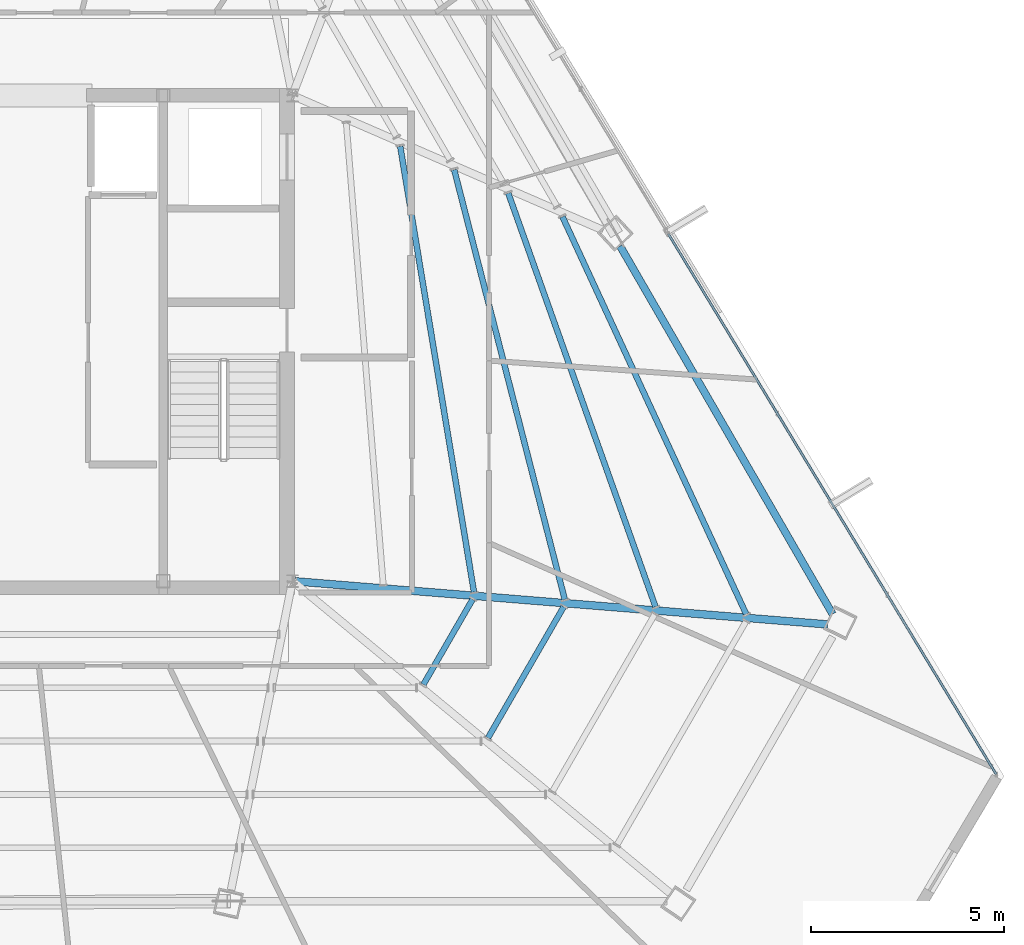
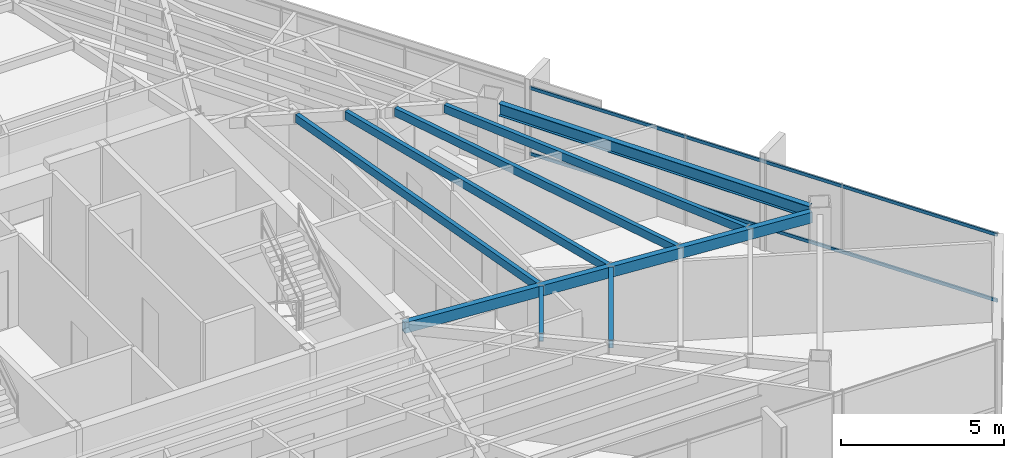
# One storey, part 22 of 45: 8 beams, 2 members, 1 element without a shape of its own.
"""IFC4 building model written with IfcOpenShell, lengths in metres."""

from ifc_helpers import new_model, si_unit, direction, frame, origin, origin_2d, place, context, subcontext, project, spatial, hollow_rectangle, i_section, extrude, source, transform, mapped, material, material_profile, profile_set, type_object, type_shapes, element, aggregate, save


model = new_model("IFC4")

# Units and contexts
model_context = context("Model", 3, precision=1e-05, world=origin(), true_north=direction((0.0, 1.0)))
body_context = subcontext(model_context, "Body", "Model", "MODEL_VIEW")
ifc_project = project(units=[si_unit("LENGTHUNIT", "METRE"), si_unit("AREAUNIT", "SQUARE_METRE"), si_unit("VOLUMEUNIT", "CUBIC_METRE"), si_unit("PLANEANGLEUNIT", "RADIAN"), si_unit("MASSUNIT", "GRAM", prefix="KILO")], contexts=[model_context])

# Site, building, storey
site_placement = place(None, origin())
site = spatial("IfcSite", under=ifc_project, at=site_placement, CompositionType="ELEMENT")
building_placement = place(site_placement, origin())
building = spatial("IfcBuilding", under=site, at=building_placement, Name="Caelisora Broadcast Tower", CompositionType="ELEMENT")
storey_placement = place(building_placement, frame((0.0, 0.0, 240.800048828125)))
storey = spatial("IfcBuildingStorey", under=building, at=storey_placement, Name="L63", CompositionType="ELEMENT", Elevation=240.800048828125)

# Beams
ifc_material_1 = material(Name="Steel Grade 350 (AS/NZS 3679.1)", Category="steel")
ifc_material_profile_1 = material_profile(ifc_material_1, i_section(OverallWidth=0.19091796875, OverallDepth=0.46044921875, WebThickness=0.010009765625, FlangeThickness=0.01611328125, at=origin_2d()), Name="Steel Grade 350 (AS/NZS 3679.1)")
ifc_profile_set_1 = profile_set([ifc_material_profile_1], Name="Steel Grade 350 (AS/NZS 3679.1)")
beam_type_1 = type_object("IfcBeamType", Name="PG06", PredefinedType="BEAM", material=ifc_profile_set_1)
shared_shape_1 = source(origin(), body_context, "Body", "SweptSolid", [
    extrude(i_section(OverallWidth=0.19091796875, OverallDepth=0.46044921875, WebThickness=0.010009765625, FlangeThickness=0.01611328125, at=origin_2d()), origin(), (0.0, 0.0, 1.0), 11.02587890625),
])
type_shapes(beam_type_1, [shared_shape_1])
beam_1_placement = place(storey_placement, frame((59.515380859375, 16.543701171875, 3.169677734375), z_axis=(-0.499994623926, 0.86602850764, 0.0), x_axis=(-0.86602850764, -0.499994623926, 0.0)))
element("IfcBeam", 1, at=beam_1_placement, inside=storey, type_object=beam_type_1, Name="L63 beam PG06", PredefinedType="BEAM", context=body_context, shape_type="MappedRepresentation", body=[
    mapped(shared_shape_1, transform((0.0, 0.0, 0.0), scale=1.0)),
])
ifc_material_2 = material(Name="Steel Grade 350 (AS/NZS 1163 C350L0)", Category="steel")
ifc_material_profile_2 = material_profile(ifc_material_2, hollow_rectangle(XDim=0.199951171875, YDim=0.39990234375, WallThickness=0.012451171875, at=origin_2d()), Name="Steel Grade 350 (AS/NZS 1163 C350L0)")
ifc_profile_set_2 = profile_set([ifc_material_profile_2], Name="Steel Grade 350 (AS/NZS 1163 C350L0)")
beam_type_2 = type_object("IfcBeamType", Name="PG07", PredefinedType="BEAM", material=ifc_profile_set_2)
shared_shape_2 = source(origin(), body_context, "Body", "SweptSolid", [
    extrude(hollow_rectangle(XDim=0.199951171875, YDim=0.39990234375, WallThickness=0.012451171875, at=origin_2d()), origin(), (0.0, 0.0, 1.0), 13.873046875),
])
type_shapes(beam_type_2, [shared_shape_2])
beam_2_placement = place(storey_placement, frame((45.559814453125, 17.395263671875, 3.199951171875), z_axis=(0.996735098741, -0.080741209665, 0.0), x_axis=(0.080741209665, 0.996735098741, 0.0)))
element("IfcBeam", 2, at=beam_2_placement, inside=storey, type_object=beam_type_2, Name="L63 beam PG07", PredefinedType="BEAM", context=body_context, shape_type="MappedRepresentation", body=[
    mapped(shared_shape_2, transform((0.0, 0.0, 0.0), scale=1.0)),
])
ifc_material_profile_3 = material_profile(ifc_material_2, hollow_rectangle(XDim=0.14990234375, YDim=0.300048828125, WallThickness=0.010009765625, at=origin_2d()), Name="Steel Grade 350 (AS/NZS 1163 C350L0)")
ifc_profile_set_3 = profile_set([ifc_material_profile_3], Name="Steel Grade 350 (AS/NZS 1163 C350L0)")
beam_type_3 = type_object("IfcBeamType", Name="SB05", PredefinedType="JOIST", material=ifc_profile_set_3)
shared_shape_3 = source(origin(), body_context, "Body", "SweptSolid", [
    extrude(hollow_rectangle(XDim=0.14990234375, YDim=0.300048828125, WallThickness=0.010009765625, at=origin_2d()), origin(), (0.0, 0.0, 1.0), 11.722412109375),
])
beam_3_placement = place(storey_placement, frame((50.2119140625, 17.11572265625, 3.25), z_axis=(-0.16336543737, 0.98656562573, 0.0), x_axis=(-0.98656562573, -0.16336543737, 0.0)))
element("IfcBeam", 3, at=beam_3_placement, inside=storey, type_object=beam_type_3, Name="L63 beam SB05", PredefinedType="JOIST", context=body_context, shape_type="MappedRepresentation", body=[
    mapped(shared_shape_3, transform((0.0, 0.0, 0.0), scale=1.0)),
])
shared_shape_4 = source(origin(), body_context, "Body", "SweptSolid", [
    extrude(hollow_rectangle(XDim=0.14990234375, YDim=0.300048828125, WallThickness=0.010009765625, at=origin_2d()), origin(), (0.0, 0.0, 1.0), 11.51123046875),
])
beam_4_placement = place(storey_placement, frame((52.566650390625, 16.925048828125, 3.25), z_axis=(-0.249246789584, 0.968440002211, 0.0), x_axis=(-0.968440002211, -0.249246789584, 0.0)))
element("IfcBeam", 4, at=beam_4_placement, inside=storey, type_object=beam_type_3, Name="L63 beam SB05", PredefinedType="JOIST", context=body_context, shape_type="MappedRepresentation", body=[
    mapped(shared_shape_4, transform((0.0, 0.0, 0.0), scale=1.0)),
])
shared_shape_5 = source(origin(), body_context, "Body", "SweptSolid", [
    extrude(hollow_rectangle(XDim=0.14990234375, YDim=0.300048828125, WallThickness=0.010009765625, at=origin_2d()), origin(), (0.0, 0.0, 1.0), 11.38916015625),
])
beam_5_placement = place(storey_placement, frame((54.92041015625, 16.734619140625, 3.25), z_axis=(-0.335391094019, 0.942078985039, 0.0), x_axis=(-0.942078985039, -0.335391094019, 0.0)))
element("IfcBeam", 5, at=beam_5_placement, inside=storey, type_object=beam_type_3, Name="L63 beam SB05", PredefinedType="JOIST", context=body_context, shape_type="MappedRepresentation", body=[
    mapped(shared_shape_5, transform((0.0, 0.0, 0.0), scale=1.0)),
])
shared_shape_6 = source(origin(), body_context, "Body", "SweptSolid", [
    extrude(hollow_rectangle(XDim=0.14990234375, YDim=0.300048828125, WallThickness=0.010009765625, at=origin_2d()), origin(), (0.0, 0.0, 1.0), 11.358642578125),
])
beam_6_placement = place(storey_placement, frame((57.2734375, 16.544189453125, 3.25), z_axis=(-0.419690521651, 0.907667266148, 0.0), x_axis=(-0.907667266148, -0.419690521651, 0.0)))
element("IfcBeam", 6, at=beam_6_placement, inside=storey, type_object=beam_type_3, Name="L63 beam SB05", PredefinedType="JOIST", context=body_context, shape_type="MappedRepresentation", body=[
    mapped(shared_shape_6, transform((0.0, 0.0, 0.0), scale=1.0)),
])
shared_shape_7 = source(origin(), body_context, "Body", "SweptSolid", [
    extrude(hollow_rectangle(XDim=0.14990234375, YDim=0.300048828125, WallThickness=0.010009765625, at=origin_2d()), origin(), (0.0, 0.0, 1.0), 2.54833984375),
])
beam_7_placement = place(storey_placement, frame((48.900146484375, 14.717041015625, 3.25), z_axis=(0.500023778256, 0.866011674967, 0.0), x_axis=(-0.866011674967, 0.500023778256, 0.0)))
element("IfcBeam", 7, at=beam_7_placement, inside=storey, type_object=beam_type_3, Name="L63 beam SB05", PredefinedType="JOIST", context=body_context, shape_type="MappedRepresentation", body=[
    mapped(shared_shape_7, transform((0.0, 0.0, 0.0), scale=1.0)),
])
shared_shape_8 = source(origin(), body_context, "Body", "SweptSolid", [
    extrude(hollow_rectangle(XDim=0.14990234375, YDim=0.300048828125, WallThickness=0.010009765625, at=origin_2d()), origin(), (0.0, 0.0, 1.0), 3.925537109375),
])
type_shapes(beam_type_3, [shared_shape_3, shared_shape_4, shared_shape_5, shared_shape_6, shared_shape_7, shared_shape_8])
beam_8_placement = place(storey_placement, frame((50.57568359375, 13.332763671875, 3.25), z_axis=(0.499971896213, 0.866041628905, 0.0), x_axis=(-0.866041628905, 0.499971896213, 0.0)))
element("IfcBeam", 8, at=beam_8_placement, inside=storey, type_object=beam_type_3, Name="L63 beam SB05", PredefinedType="JOIST", context=body_context, shape_type="MappedRepresentation", body=[
    mapped(shared_shape_8, transform((0.0, 0.0, 0.0), scale=1.0)),
])

# Curtain wall, members
ifc_material_3 = material(Name="Unitised Aluminium and Low-E Glass Curtain Wall", Category="glass")
curtain_wall_type = type_object("IfcCurtainWallType", Name="CW-Z5", PredefinedType="NOTDEFINED", material=ifc_material_3)
curtain_wall_placement = place(storey_placement, origin())
curtain_wall = element("IfcCurtainWall", 9, at=curtain_wall_placement, inside=storey, type_object=curtain_wall_type, Name="L63 curtain wall CW-Z5", PredefinedType="NOTDEFINED")
ifc_material_4 = material(Name="Aluminium 6063-T6 Anodised Terracotta Bronze", Category="aluminium")
ifc_material_profile_4 = material_profile(ifc_material_4, hollow_rectangle(XDim=0.06005859375, YDim=0.1201171875, WallThickness=0.0029296875, at=origin_2d()), Name="Aluminium 6063-T6 Anodised Terracotta Bronze")
ifc_profile_set_4 = profile_set([ifc_material_profile_4], Name="Aluminium 6063-T6 Anodised Terracotta Bronze")
member_type = type_object("IfcMemberType", Name="CWT-03", PredefinedType="USERDEFINED", material=ifc_profile_set_4)
shared_shape_9 = source(origin(), body_context, "Body", "SweptSolid", [
    extrude(hollow_rectangle(XDim=0.06005859375, YDim=0.1201171875, WallThickness=0.0029296875, at=origin_2d()), origin(), (0.0, 0.0, 1.0), 16.405517578125),
])
type_shapes(member_type, [shared_shape_9])
member_1_placement = place(storey_placement, frame((55.25341796875, 26.41015625, 0.849853515625), z_axis=(0.518656553227, -0.854982678067, 0.0), x_axis=(0.854982678067, 0.518656553227, 0.0)))
member_1 = element("IfcMember", 10, at=member_1_placement, type_object=member_type, Name="L63-CW-B03 transom #1", ObjectType="TRANSOM", PredefinedType="USERDEFINED", context=body_context, shape_type="MappedRepresentation", body=[
    mapped(shared_shape_9, transform((0.0, 0.0, 0.0), scale=1.0)),
])
member_2_placement = place(storey_placement, frame((55.25341796875, 26.41015625, 3.320068359375), z_axis=(0.518656553227, -0.854982678067, 0.0), x_axis=(0.854982678067, 0.518656553227, 0.0)))
member_2 = element("IfcMember", 11, at=member_2_placement, type_object=member_type, Name="L63-CW-B03 transom #2", ObjectType="TRANSOM", PredefinedType="USERDEFINED", context=body_context, shape_type="MappedRepresentation", body=[
    mapped(shared_shape_9, transform((0.0, 0.0, 0.0), scale=1.0)),
])
aggregate(curtain_wall, [member_1, member_2])

save(model, "model.ifc")
